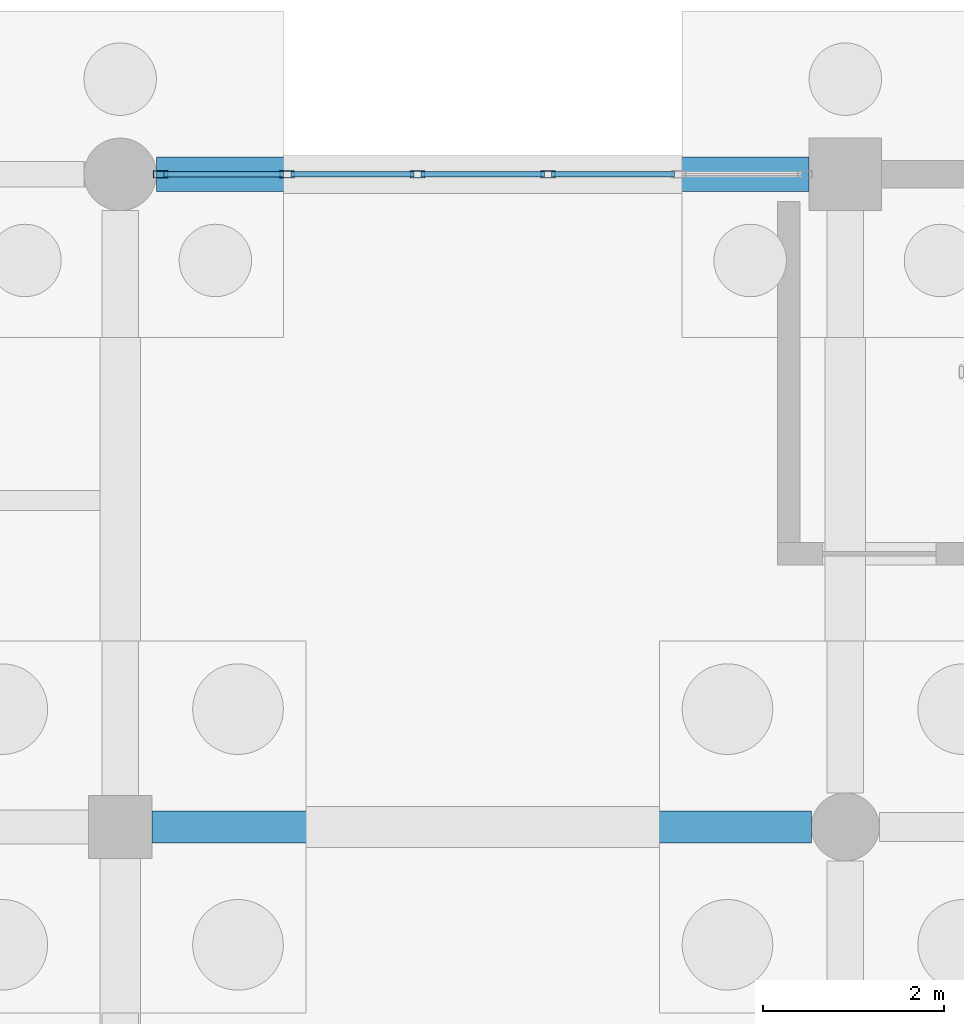
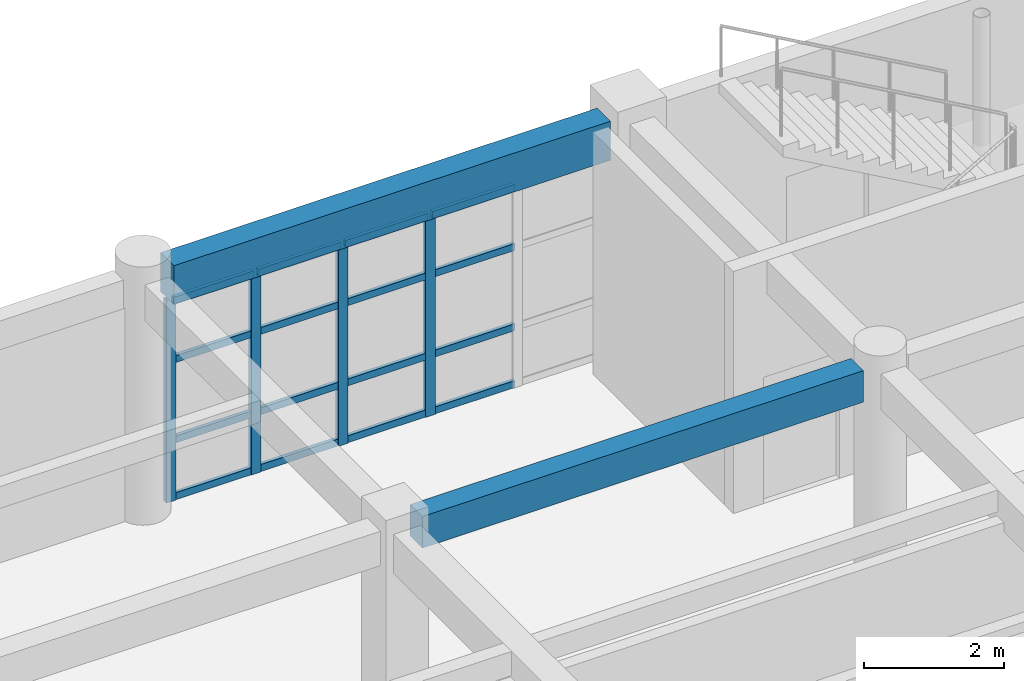
# One storey, part 99 of 166: 20 members, 2 beams, 1 element without a shape of its own.
"""IFC4 building model written with IfcOpenShell, lengths in metres."""

import ifcopenshell
import ifcopenshell.guid

model = None  # the IFC model being written
_history = None  # IfcOwnerHistory: only IFC2X3 demands one
_inside = {}  # id of a spatial element -> (the spatial element, [elements in it])
_under = {}  # id of a project, library or spatial element -> (it, [spatial elements below it])
_declared = {}  # id of a project -> (the project, [libraries it declares])
_typed = {}  # id of a type object -> (the type object, [elements of that type])
_made_of = {}  # id of a material, layer set ... -> (it, [elements and type objects made of it])


def new_model(schema):
    """Start an empty IFC model of exactly this schema.

    Asked for "IFC4X3", IfcOpenShell would pick the latest addendum, in which some entities
    have other attributes; the version numbers below select the first issue.
    IFC2X3 requires an IfcOwnerHistory on every rooted entity: one is made here for all.
    """
    global model, _history
    if schema == "IFC4X3":
        model = ifcopenshell.file(schema_version=(4, 3, 0, 0))
    else:
        model = ifcopenshell.file(schema=schema)
    _inside.clear()
    _under.clear()
    _declared.clear()
    _typed.clear()
    _made_of.clear()
    _history = None
    if model.schema == "IFC2X3":
        org = make("IfcOrganization", Name="unknown")
        user = make(
            "IfcPersonAndOrganization",
            ThePerson=make("IfcPerson", FamilyName="unknown"),
            TheOrganization=org,
        )
        app = make(
            "IfcApplication",
            ApplicationDeveloper=org,
            Version="unknown",
            ApplicationFullName="unknown",
            ApplicationIdentifier="unknown",
        )
        _history = make(
            "IfcOwnerHistory",
            OwningUser=user,
            OwningApplication=app,
            ChangeAction="ADDED",
            CreationDate=0,
        )
    return model


def make(cls, **values):
    """One entity of the class cls with the attributes given. An attribute that is None is left unset."""
    return model.create_entity(
        cls, **{name: value for name, value in values.items() if value is not None}
    )


def rooted(cls, **values):
    """An entity with a GlobalId (a new one), such as an element, a storey or a relation."""
    return make(cls, GlobalId=ifcopenshell.guid.new(), OwnerHistory=_history, **values)


def si_unit(unit_type, name, prefix=None):
    """IfcSIUnit, for example si_unit("LENGTHUNIT", "METRE", prefix="MILLI")."""
    return make("IfcSIUnit", UnitType=unit_type, Prefix=prefix, Name=name)


def assignment(units):
    """IfcUnitAssignment: the units of a project."""
    return None if units is None else make("IfcUnitAssignment", Units=units)


def point(xyz):
    """IfcCartesianPoint."""
    return None if xyz is None else make("IfcCartesianPoint", Coordinates=xyz)


def direction(xyz):
    """IfcDirection."""
    return None if xyz is None else make("IfcDirection", DirectionRatios=xyz)


def frame(location, z_axis=None, x_axis=None):
    """IfcAxis2Placement3D, a coordinate frame: its origin and axes. An axis left out is left unset."""
    return make(
        "IfcAxis2Placement3D",
        Location=point(location),
        Axis=direction(z_axis),
        RefDirection=direction(x_axis),
    )


def frame_2d(location, x_axis=None):
    """IfcAxis2Placement2D, a coordinate frame in the plane: its origin and x axis."""
    return make(
        "IfcAxis2Placement2D", Location=point(location), RefDirection=direction(x_axis)
    )


def origin():
    """The frame at (0, 0, 0) with its axes left unset."""
    return frame((0.0, 0.0, 0.0))


def origin_2d():
    """The frame at (0, 0) in the plane with its x axis left unset."""
    return frame_2d((0.0, 0.0))


def place(relative_to, where):
    """IfcLocalPlacement: puts the frame where relative to a parent placement (None: the world)."""
    return make(
        "IfcLocalPlacement", PlacementRelTo=relative_to, RelativePlacement=where
    )


def context(
    kind, dimensions, precision=None, world=None, true_north=None, identifier=None
):
    """IfcGeometricRepresentationContext, for example the 3D "Model" context."""
    return make(
        "IfcGeometricRepresentationContext",
        ContextIdentifier=identifier,
        ContextType=kind,
        CoordinateSpaceDimension=dimensions,
        Precision=precision,
        WorldCoordinateSystem=world,
        TrueNorth=true_north,
    )


def subcontext(parent, identifier, kind, view, scale=None):
    """IfcGeometricRepresentationSubContext, for example "Body" below "Model"."""
    return make(
        "IfcGeometricRepresentationSubContext",
        ContextIdentifier=identifier,
        ContextType=kind,
        ParentContext=parent,
        TargetScale=scale,
        TargetView=view,
    )


def project(units=None, contexts=None):
    """IfcProject with its units and contexts."""
    return rooted(
        "IfcProject",
        Name="project",
        RepresentationContexts=contexts,
        UnitsInContext=assignment(units),
    )


def spatial(cls, under=None, at=None, **own):
    """A site, building, storey or space (cls), placed at a placement, below another one or the project."""
    s = rooted(cls, ObjectPlacement=at, **own)
    if under is not None:
        _under.setdefault(under.id(), (under, []))[1].append(s)
    return s


def profile(cls, at=None, kind="AREA", **sizes):
    """A parametric profile (cls). Its sizes go by their IFC names, for example OverallWidth=200.0."""
    return make(cls, ProfileType=kind, Position=at, **sizes)


def rectangle(**sizes):
    """IfcRectangleProfileDef."""
    return profile("IfcRectangleProfileDef", **sizes)


def hollow_rectangle(**sizes):
    """IfcRectangleHollowProfileDef."""
    return profile("IfcRectangleHollowProfileDef", **sizes)


def extrude(swept, where, along, depth):
    """IfcExtrudedAreaSolid: the profile swept, set in the frame where, extruded along a direction by depth."""
    return make(
        "IfcExtrudedAreaSolid",
        SweptArea=swept,
        Position=where,
        ExtrudedDirection=direction(along),
        Depth=depth,
    )


def shape(context_of_items, identifier, shape_type, items):
    """IfcShapeRepresentation: the items that make up one representation, for example the "Body"."""
    return make(
        "IfcShapeRepresentation",
        ContextOfItems=context_of_items,
        RepresentationIdentifier=identifier,
        RepresentationType=shape_type,
        Items=items,
    )


def material(Name=None, Category=None):
    """IfcMaterial."""
    return make("IfcMaterial", Name=Name, Category=Category)


def material_profile(
    of_material, cross_section, Name=None, Category=None, Priority=None
):
    """IfcMaterialProfile: a cross section and its material."""
    return make(
        "IfcMaterialProfile",
        Name=Name,
        Material=of_material,
        Profile=cross_section,
        Priority=Priority,
        Category=Category,
    )


def profile_set(profiles, Name=None, composite=None):
    """IfcMaterialProfileSet."""
    return make(
        "IfcMaterialProfileSet",
        Name=Name,
        MaterialProfiles=profiles,
        CompositeProfile=composite,
    )


def made_of(thing, what):
    """Note that an element or type object is made of a material, layer set ...; save() writes the relation."""
    if what is not None:
        _made_of.setdefault(what.id(), (what, []))[1].append(thing)
    return thing


def type_object(cls, material=None, **own):
    """A type object (cls), such as IfcWallType, which elements share."""
    return made_of(rooted(cls, **own), material)


def element(
    cls,
    number,
    at=None,
    inside=None,
    cuts=None,
    type_object=None,
    material=None,
    context=None,
    identifier="Body",
    shape_type=None,
    held_by="IfcProductDefinitionShape",
    body=None,
    shapes=None,
    **own,
):
    """One element of the class cls, such as IfcWall. Its Tag is "e" and its number.

    at: its placement. inside: the storey or other place that contains it. cuts: it is an
    opening in that element (IfcRelVoidsElement). A single representation is given by context,
    identifier, shape_type and body (its items); several are given by shapes. held_by: the class
    of the entity that holds the representations. save() writes the other relations.
    """
    e = rooted(cls, Tag="e%d" % number, ObjectPlacement=at, **own)
    if body is not None:
        shapes = [shape(context, identifier, shape_type, body)]
    if shapes is not None:
        e.Representation = make(held_by, Representations=shapes)
    if inside is not None:
        _inside.setdefault(inside.id(), (inside, []))[1].append(e)
    if cuts is not None:
        rooted(
            "IfcRelVoidsElement", RelatingBuildingElement=cuts, RelatedOpeningElement=e
        )
    if type_object is not None:
        _typed.setdefault(type_object.id(), (type_object, []))[1].append(e)
    return made_of(e, material)


def aggregate(whole, parts):
    """IfcRelAggregates: a whole, such as a stair, and the parts it consists of."""
    return rooted("IfcRelAggregates", RelatingObject=whole, RelatedObjects=parts)


def save(model, path):
    """Write the relations noted so far, then the file.

    IfcRelAggregates (storeys below a building ...), IfcRelContainedInSpatialStructure (elements
    in a storey), IfcRelDefinesByType, IfcRelAssociatesMaterial and IfcRelDeclares: one each for
    every whole, place, type object, material and project.
    """
    for whole, parts in _under.values():
        aggregate(whole, parts)
    for where, things in _inside.values():
        rooted(
            "IfcRelContainedInSpatialStructure",
            RelatedElements=things,
            RelatingStructure=where,
        )
    for kind, things in _typed.values():
        rooted("IfcRelDefinesByType", RelatedObjects=things, RelatingType=kind)
    for what, things in _made_of.values():
        rooted("IfcRelAssociatesMaterial", RelatedObjects=things, RelatingMaterial=what)
    for by, libraries in _declared.values():
        rooted("IfcRelDeclares", RelatingContext=by, RelatedDefinitions=libraries)
    model.write(path)


model = new_model("IFC4")

# Units and contexts
model_context = context("Model", 3, precision=1e-05, world=origin(), true_north=direction((0.0, 1.0)))
body_context = subcontext(model_context, "Body", "Model", "MODEL_VIEW")
ifc_project = project(units=[si_unit("LENGTHUNIT", "METRE"), si_unit("AREAUNIT", "SQUARE_METRE"), si_unit("VOLUMEUNIT", "CUBIC_METRE"), si_unit("PLANEANGLEUNIT", "RADIAN"), si_unit("MASSUNIT", "GRAM", prefix="KILO")], contexts=[model_context])

# Site, building, storey
site_placement = place(None, origin())
site = spatial("IfcSite", under=ifc_project, at=site_placement, CompositionType="ELEMENT")
building_placement = place(site_placement, origin())
building = spatial("IfcBuilding", under=site, at=building_placement, Name="Kharva Crest Polytechnic", CompositionType="ELEMENT")
storey_placement = place(building_placement, origin())
storey = spatial("IfcBuildingStorey", under=building, at=storey_placement, Name="L00", CompositionType="ELEMENT", Elevation=0.0)

# Beam
ifc_material_1 = material(Name="Concrete C35/45", Category="concrete")
ifc_material_profile_1 = material_profile(ifc_material_1, rectangle(XDim=0.35009765625, YDim=0.550048828125, at=origin_2d()), Name="RECT 350 X 550")
ifc_profile_set_1 = profile_set([ifc_material_profile_1], Name="Concrete C35/45")
beam_type_1 = type_object("IfcBeamType", Name="BM-RC-350X550", PredefinedType="BEAM", material=ifc_profile_set_1)
beam_1_placement = place(storey_placement, frame((137.14990234375, 114.800048828125, 3.945068359375), z_axis=(1.0, 0.0, 0.0), x_axis=(0.0, 1.0, 0.0)))
element("IfcBeam", 1, at=beam_1_placement, inside=storey, type_object=beam_type_1, Name="L00 Beam R/18-19", PredefinedType="BEAM", context=body_context, shape_type="SweptSolid", body=[
    extrude(rectangle(XDim=0.35009765625, YDim=0.550048828125, at=origin_2d()), origin(), (0.0, 0.0, 1.0), 7.275146484375),
])

# Curtain wall, members
ifc_material_2 = material(Name="Tempered insulated glass", Category="glass")
curtain_wall_type = type_object("IfcCurtainWallType", Name="CW-SYS-COURT", PredefinedType="USERDEFINED", material=ifc_material_2)
curtain_wall_placement = place(storey_placement, origin())
curtain_wall = element("IfcCurtainWall", 2, at=curtain_wall_placement, inside=storey, type_object=curtain_wall_type, Name="L00 Glazed Curtain Wall CW-023", ObjectType="CURTAIN WALL", PredefinedType="USERDEFINED")
ifc_material_3 = material(Name="Steel S355", Category="steel")
ifc_material_profile_2 = material_profile(ifc_material_3, hollow_rectangle(XDim=0.080078125, YDim=0.159912109375, WallThickness=0.0048828125, at=origin_2d()), Name="RHS 160X80X5.0")
ifc_profile_set_2 = profile_set([ifc_material_profile_2], Name="Steel S355")
member_type_1 = type_object("IfcMemberType", Name="CWM-RHS160X80", PredefinedType="MULLION", material=ifc_profile_set_2)
member_1_placement = place(storey_placement, frame((141.51904296875, 122.0, 0.0), z_axis=(0.0, 0.0, 1.0), x_axis=(0.0, -1.0, 0.0)))
member_1 = element("IfcMember", 3, at=member_1_placement, type_object=member_type_1, Name="CW-023 mullion 3", PredefinedType="MULLION", context=body_context, shape_type="SweptSolid", body=[
    extrude(hollow_rectangle(XDim=0.080078125, YDim=0.159912109375, WallThickness=0.0048828125, at=origin_2d()), origin(), (0.0, 0.0, 1.0), 3.5400390625),
])
member_2_placement = place(storey_placement, frame((140.0810546875, 122.0, 0.0), z_axis=(0.0, 0.0, 1.0), x_axis=(0.0, -1.0, 0.0)))
member_2 = element("IfcMember", 4, at=member_2_placement, type_object=member_type_1, Name="CW-023 mullion 4", PredefinedType="MULLION", context=body_context, shape_type="SweptSolid", body=[
    extrude(hollow_rectangle(XDim=0.080078125, YDim=0.159912109375, WallThickness=0.0048828125, at=origin_2d()), origin(), (0.0, 0.0, 1.0), 3.5400390625),
])
member_3_placement = place(storey_placement, frame((138.64306640625, 122.0, 0.0), z_axis=(0.0, 0.0, 1.0), x_axis=(0.0, -1.0, 0.0)))
member_3 = element("IfcMember", 5, at=member_3_placement, type_object=member_type_1, Name="CW-023 mullion 5", PredefinedType="MULLION", context=body_context, shape_type="SweptSolid", body=[
    extrude(hollow_rectangle(XDim=0.080078125, YDim=0.159912109375, WallThickness=0.0048828125, at=origin_2d()), origin(), (0.0, 0.0, 1.0), 3.5400390625),
])
member_4_placement = place(storey_placement, frame((137.2451171875, 122.0, 0.0), z_axis=(0.0, 0.0, 1.0), x_axis=(0.0, -1.0, 0.0)))
member_4 = element("IfcMember", 6, at=member_4_placement, type_object=member_type_1, Name="CW-023 mullion 6", PredefinedType="MULLION", context=body_context, shape_type="SweptSolid", body=[
    extrude(hollow_rectangle(XDim=0.080078125, YDim=0.159912109375, WallThickness=0.0048828125, at=origin_2d()), origin(), (0.0, 0.0, 1.0), 3.5400390625),
])
ifc_material_profile_3 = material_profile(ifc_material_3, hollow_rectangle(XDim=0.06005859375, YDim=0.1201171875, WallThickness=0.00390625, at=origin_2d()), Name="RHS 120X60X4.0")
ifc_profile_set_3 = profile_set([ifc_material_profile_3], Name="Steel S355")
member_type_2 = type_object("IfcMemberType", Name="CWT-RHS120X60", PredefinedType="USERDEFINED", material=ifc_profile_set_3)
member_5_placement = place(storey_placement, frame((142.9169921875, 122.0, 0.06005859375), z_axis=(-1.0, 0.0, 0.0), x_axis=(0.0, -1.0, 0.0)))
member_5 = element("IfcMember", 7, at=member_5_placement, type_object=member_type_2, Name="CW-023 transom 2.1", ObjectType="TRANSOM", PredefinedType="USERDEFINED", context=body_context, shape_type="SweptSolid", body=[
    extrude(hollow_rectangle(XDim=0.06005859375, YDim=0.1201171875, WallThickness=0.00390625, at=origin_2d()), origin(), (0.0, 0.0, 1.0), 1.35791015625),
])
member_6_placement = place(storey_placement, frame((142.9169921875, 122.0, 1.050048828125), z_axis=(-1.0, 0.0, 0.0), x_axis=(0.0, -1.0, 0.0)))
member_6 = element("IfcMember", 8, at=member_6_placement, type_object=member_type_2, Name="CW-023 transom 2.2", ObjectType="TRANSOM", PredefinedType="USERDEFINED", context=body_context, shape_type="SweptSolid", body=[
    extrude(hollow_rectangle(XDim=0.06005859375, YDim=0.1201171875, WallThickness=0.00390625, at=origin_2d()), origin(), (0.0, 0.0, 1.0), 1.35791015625),
])
member_7_placement = place(storey_placement, frame((142.9169921875, 122.0, 2.449951171875), z_axis=(-1.0, 0.0, 0.0), x_axis=(0.0, -1.0, 0.0)))
member_7 = element("IfcMember", 9, at=member_7_placement, type_object=member_type_2, Name="CW-023 transom 2.3", ObjectType="TRANSOM", PredefinedType="USERDEFINED", context=body_context, shape_type="SweptSolid", body=[
    extrude(hollow_rectangle(XDim=0.06005859375, YDim=0.1201171875, WallThickness=0.00390625, at=origin_2d()), origin(), (0.0, 0.0, 1.0), 1.35791015625),
])
member_8_placement = place(storey_placement, frame((142.9169921875, 122.0, 3.47998046875), z_axis=(-1.0, 0.0, 0.0), x_axis=(0.0, -1.0, 0.0)))
member_8 = element("IfcMember", 10, at=member_8_placement, type_object=member_type_2, Name="CW-023 transom 2.4", ObjectType="TRANSOM", PredefinedType="USERDEFINED", context=body_context, shape_type="SweptSolid", body=[
    extrude(hollow_rectangle(XDim=0.06005859375, YDim=0.1201171875, WallThickness=0.00390625, at=origin_2d()), origin(), (0.0, 0.0, 1.0), 1.35791015625),
])
member_9_placement = place(storey_placement, frame((141.47900390625, 122.0, 0.06005859375), z_axis=(-1.0, 0.0, 0.0), x_axis=(0.0, -1.0, 0.0)))
member_9 = element("IfcMember", 11, at=member_9_placement, type_object=member_type_2, Name="CW-023 transom 3.1", ObjectType="TRANSOM", PredefinedType="USERDEFINED", context=body_context, shape_type="SweptSolid", body=[
    extrude(hollow_rectangle(XDim=0.06005859375, YDim=0.1201171875, WallThickness=0.00390625, at=origin_2d()), origin(), (0.0, 0.0, 1.0), 1.35791015625),
])
member_10_placement = place(storey_placement, frame((141.47900390625, 122.0, 1.050048828125), z_axis=(-1.0, 0.0, 0.0), x_axis=(0.0, -1.0, 0.0)))
member_10 = element("IfcMember", 12, at=member_10_placement, type_object=member_type_2, Name="CW-023 transom 3.2", ObjectType="TRANSOM", PredefinedType="USERDEFINED", context=body_context, shape_type="SweptSolid", body=[
    extrude(hollow_rectangle(XDim=0.06005859375, YDim=0.1201171875, WallThickness=0.00390625, at=origin_2d()), origin(), (0.0, 0.0, 1.0), 1.35791015625),
])
member_11_placement = place(storey_placement, frame((141.47900390625, 122.0, 2.449951171875), z_axis=(-1.0, 0.0, 0.0), x_axis=(0.0, -1.0, 0.0)))
member_11 = element("IfcMember", 13, at=member_11_placement, type_object=member_type_2, Name="CW-023 transom 3.3", ObjectType="TRANSOM", PredefinedType="USERDEFINED", context=body_context, shape_type="SweptSolid", body=[
    extrude(hollow_rectangle(XDim=0.06005859375, YDim=0.1201171875, WallThickness=0.00390625, at=origin_2d()), origin(), (0.0, 0.0, 1.0), 1.35791015625),
])
member_12_placement = place(storey_placement, frame((141.47900390625, 122.0, 3.47998046875), z_axis=(-1.0, 0.0, 0.0), x_axis=(0.0, -1.0, 0.0)))
member_12 = element("IfcMember", 14, at=member_12_placement, type_object=member_type_2, Name="CW-023 transom 3.4", ObjectType="TRANSOM", PredefinedType="USERDEFINED", context=body_context, shape_type="SweptSolid", body=[
    extrude(hollow_rectangle(XDim=0.06005859375, YDim=0.1201171875, WallThickness=0.00390625, at=origin_2d()), origin(), (0.0, 0.0, 1.0), 1.35791015625),
])
member_13_placement = place(storey_placement, frame((140.041015625, 122.0, 0.06005859375), z_axis=(-1.0, 0.0, 0.0), x_axis=(0.0, -1.0, 0.0)))
member_13 = element("IfcMember", 15, at=member_13_placement, type_object=member_type_2, Name="CW-023 transom 4.1", ObjectType="TRANSOM", PredefinedType="USERDEFINED", context=body_context, shape_type="SweptSolid", body=[
    extrude(hollow_rectangle(XDim=0.06005859375, YDim=0.1201171875, WallThickness=0.00390625, at=origin_2d()), origin(), (0.0, 0.0, 1.0), 1.35791015625),
])
member_14_placement = place(storey_placement, frame((140.041015625, 122.0, 1.050048828125), z_axis=(-1.0, 0.0, 0.0), x_axis=(0.0, -1.0, 0.0)))
member_14 = element("IfcMember", 16, at=member_14_placement, type_object=member_type_2, Name="CW-023 transom 4.2", ObjectType="TRANSOM", PredefinedType="USERDEFINED", context=body_context, shape_type="SweptSolid", body=[
    extrude(hollow_rectangle(XDim=0.06005859375, YDim=0.1201171875, WallThickness=0.00390625, at=origin_2d()), origin(), (0.0, 0.0, 1.0), 1.35791015625),
])
member_15_placement = place(storey_placement, frame((140.041015625, 122.0, 2.449951171875), z_axis=(-1.0, 0.0, 0.0), x_axis=(0.0, -1.0, 0.0)))
member_15 = element("IfcMember", 17, at=member_15_placement, type_object=member_type_2, Name="CW-023 transom 4.3", ObjectType="TRANSOM", PredefinedType="USERDEFINED", context=body_context, shape_type="SweptSolid", body=[
    extrude(hollow_rectangle(XDim=0.06005859375, YDim=0.1201171875, WallThickness=0.00390625, at=origin_2d()), origin(), (0.0, 0.0, 1.0), 1.35791015625),
])
member_16_placement = place(storey_placement, frame((140.041015625, 122.0, 3.47998046875), z_axis=(-1.0, 0.0, 0.0), x_axis=(0.0, -1.0, 0.0)))
member_16 = element("IfcMember", 18, at=member_16_placement, type_object=member_type_2, Name="CW-023 transom 4.4", ObjectType="TRANSOM", PredefinedType="USERDEFINED", context=body_context, shape_type="SweptSolid", body=[
    extrude(hollow_rectangle(XDim=0.06005859375, YDim=0.1201171875, WallThickness=0.00390625, at=origin_2d()), origin(), (0.0, 0.0, 1.0), 1.35791015625),
])
member_17_placement = place(storey_placement, frame((138.60302734375, 122.0, 0.06005859375), z_axis=(-1.0, 0.0, 0.0), x_axis=(0.0, -1.0, 0.0)))
member_17 = element("IfcMember", 19, at=member_17_placement, type_object=member_type_2, Name="CW-023 transom 5.1", ObjectType="TRANSOM", PredefinedType="USERDEFINED", context=body_context, shape_type="SweptSolid", body=[
    extrude(hollow_rectangle(XDim=0.06005859375, YDim=0.1201171875, WallThickness=0.00390625, at=origin_2d()), origin(), (0.0, 0.0, 1.0), 1.318115234375),
])
member_18_placement = place(storey_placement, frame((138.60302734375, 122.0, 1.050048828125), z_axis=(-1.0, 0.0, 0.0), x_axis=(0.0, -1.0, 0.0)))
member_18 = element("IfcMember", 20, at=member_18_placement, type_object=member_type_2, Name="CW-023 transom 5.2", ObjectType="TRANSOM", PredefinedType="USERDEFINED", context=body_context, shape_type="SweptSolid", body=[
    extrude(hollow_rectangle(XDim=0.06005859375, YDim=0.1201171875, WallThickness=0.00390625, at=origin_2d()), origin(), (0.0, 0.0, 1.0), 1.318115234375),
])
member_19_placement = place(storey_placement, frame((138.60302734375, 122.0, 2.449951171875), z_axis=(-1.0, 0.0, 0.0), x_axis=(0.0, -1.0, 0.0)))
member_19 = element("IfcMember", 21, at=member_19_placement, type_object=member_type_2, Name="CW-023 transom 5.3", ObjectType="TRANSOM", PredefinedType="USERDEFINED", context=body_context, shape_type="SweptSolid", body=[
    extrude(hollow_rectangle(XDim=0.06005859375, YDim=0.1201171875, WallThickness=0.00390625, at=origin_2d()), origin(), (0.0, 0.0, 1.0), 1.318115234375),
])
member_20_placement = place(storey_placement, frame((138.60302734375, 122.0, 3.47998046875), z_axis=(-1.0, 0.0, 0.0), x_axis=(0.0, -1.0, 0.0)))
member_20 = element("IfcMember", 22, at=member_20_placement, type_object=member_type_2, Name="CW-023 transom 5.4", ObjectType="TRANSOM", PredefinedType="USERDEFINED", context=body_context, shape_type="SweptSolid", body=[
    extrude(hollow_rectangle(XDim=0.06005859375, YDim=0.1201171875, WallThickness=0.00390625, at=origin_2d()), origin(), (0.0, 0.0, 1.0), 1.318115234375),
])
aggregate(curtain_wall, [member_1, member_2, member_3, member_4, member_5, member_6, member_7, member_8, member_9, member_10, member_11, member_12, member_13, member_14, member_15, member_16, member_17, member_18, member_19, member_20])

# Beam
ifc_material_profile_4 = material_profile(ifc_material_1, rectangle(XDim=0.3798828125, YDim=0.679931640625, at=origin_2d()), Name="RECT 380 X 680")
ifc_profile_set_4 = profile_set([ifc_material_profile_4], Name="Concrete C35/45")
beam_type_2 = type_object("IfcBeamType", Name="SP-RC-380X680", PredefinedType="SPANDREL", material=ifc_profile_set_4)
beam_2_placement = place(storey_placement, frame((137.199951171875, 122.0, 3.8798828125), z_axis=(1.0, 0.0, 0.0), x_axis=(0.0, 1.0, 0.0)))
element("IfcBeam", 23, at=beam_2_placement, inside=storey, type_object=beam_type_2, Name="L00 Beam S/18-19", PredefinedType="SPANDREL", context=body_context, shape_type="SweptSolid", body=[
    extrude(rectangle(XDim=0.3798828125, YDim=0.679931640625, at=origin_2d()), origin(), (0.0, 0.0, 1.0), 7.199951171875),
])

save(model, "model.ifc")
